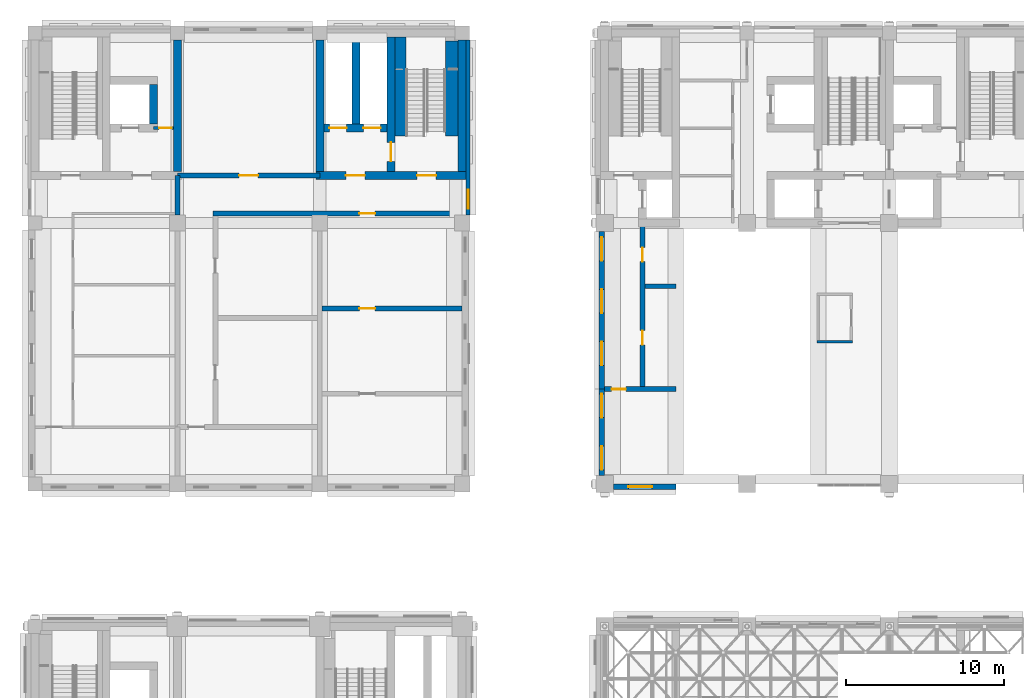
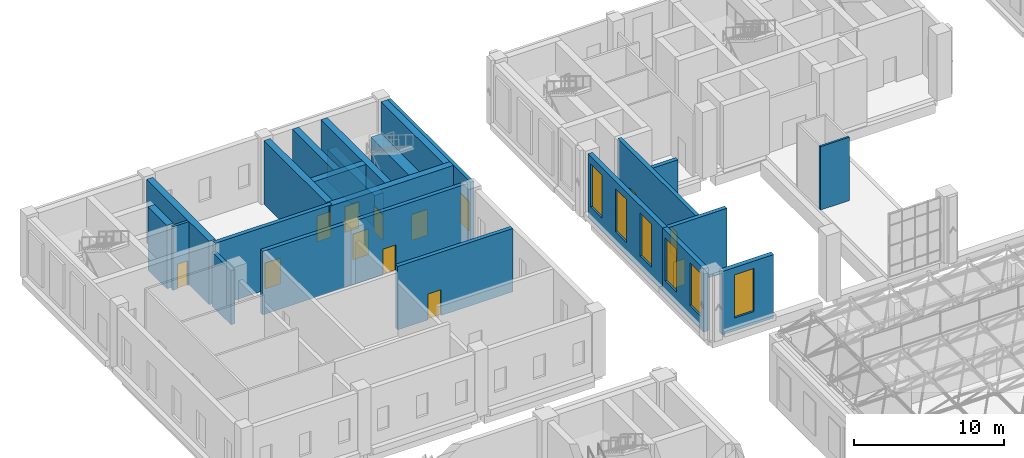
# One storey, part 30 of 53: 23 walls, 12 doors, 7 windows, 19 openings.
"""IFC4 building model written with IfcOpenShell, lengths in metres."""

from ifc_helpers import new_model, si_unit, direction, frame, frame_2d, origin, place, context, subcontext, project, spatial, rectangle, extrude, material, layer, layer_set, type_object, element, fill, save


model = new_model("IFC4")

# Units and contexts
model_context = context("Model", 3, precision=1e-05, world=origin(), true_north=direction((0.0, 1.0)))
body_context = subcontext(model_context, "Body", "Model", "MODEL_VIEW")
ifc_project = project(units=[si_unit("LENGTHUNIT", "METRE"), si_unit("AREAUNIT", "SQUARE_METRE"), si_unit("VOLUMEUNIT", "CUBIC_METRE"), si_unit("PLANEANGLEUNIT", "RADIAN"), si_unit("MASSUNIT", "GRAM", prefix="KILO")], contexts=[model_context])

# Site, building, storey
site_placement = place(None, origin())
site = spatial("IfcSite", under=ifc_project, at=site_placement, CompositionType="ELEMENT")
building_placement = place(site_placement, origin())
building = spatial("IfcBuilding", under=site, at=building_placement, Name="Aurelan Courthouse", CompositionType="ELEMENT")
storey_placement = place(building_placement, frame((0.0, 0.0, 12.0)))
storey = spatial("IfcBuildingStorey", under=building, at=storey_placement, Name="L02", CompositionType="ELEMENT", Elevation=12.0)

# Wall
ifc_material_1 = material(Name="Gypsum board on metal studs")
ifc_layer_1 = layer(ifc_material_1, 0.14990234375)
ifc_layer_set_1 = layer_set([ifc_layer_1], Name="Gypsum board on metal studs")
wall_type_1 = type_object("IfcWallType", Name="Corridor partition 150 EI 60", PredefinedType="PARTITIONING", material=ifc_layer_set_1)
wall_1_placement = place(storey_placement, frame((49.4375, 46.5, 0.0), z_axis=(0.0, 0.0, 1.0), x_axis=(1.0, 0.0, 0.0)))
element("IfcWall", 1, at=wall_1_placement, inside=storey, type_object=wall_type_1, Name="Corridor partition L02-024", PredefinedType="PARTITIONING", context=body_context, shape_type="SweptSolid", body=[
    extrude(rectangle(XDim=2.237548828125, YDim=0.14990234375, at=frame_2d((1.11865234375, 0.0))), origin(), (0.0, 0.0, 1.0), 5.14990234375),
])

# Wall, opening, window
ifc_material_2 = material(Name="Limestone cladding", Category="masonry")
ifc_layer_2 = layer(ifc_material_2, 0.10009765625, Name="Facing")
ifc_material_3 = material(Name="Ventilated cavity")
ifc_layer_3 = layer(ifc_material_3, 0.02490234375, ventilated=True, Name="Ventilated cavity")
ifc_material_4 = material(Name="Mineral wool insulation")
ifc_layer_4 = layer(ifc_material_4, 0.050048828125, Name="Insulation")
ifc_material_5 = material(Name="Concrete C30", Category="concrete")
ifc_layer_5 = layer(ifc_material_5, 0.175048828125, Name="Structure")
ifc_layer_set_2 = layer_set([ifc_layer_2, ifc_layer_3, ifc_layer_4, ifc_layer_5], Name="Concrete C30")
wall_type_2 = type_object("IfcWallType", Name="Courtroom Block stone-faced wall 350", PredefinedType="SOLIDWALL", material=ifc_layer_set_2)
wall_2_placement = place(storey_placement, frame((36.550048828125, 37.324951171875, 0.0), z_axis=(0.0, 0.0, 1.0), x_axis=(1.0, 0.0, 0.0)))
wall_2 = element("IfcWall", 2, at=wall_2_placement, inside=storey, type_object=wall_type_2, Name="Facade wall FW-V2-L02-001", PredefinedType="SOLIDWALL", context=body_context, shape_type="SweptSolid", body=[
    extrude(rectangle(XDim=3.949951171875, YDim=0.35009765625, at=frame_2d((1.97509765625, 0.0))), origin(), (0.0, 0.0, 1.0), 5.14990234375),
])
opening_1_placement = place(wall_2_placement, frame((0.949951171875, 0.0, 1.050048828125)))
opening_1 = element("IfcOpeningElement", 3, at=opening_1_placement, cuts=wall_2, Name="Opening WN-V2-L02-001", PredefinedType="OPENING", context=body_context, shape_type="SweptSolid", body=[
    extrude(rectangle(XDim=1.5, YDim=3.5, at=frame_2d((0.75, 1.75))), frame((0.0, 0.18505859375, 0.0), z_axis=(0.0, -1.0, 0.0), x_axis=(1.0, 0.0, 0.0)), (0.0, 0.0, 1.0), 0.3701171875),
])
ifc_material_6 = material(Name="Bronze-finished aluminium and glass", Category="aluminium")
window_type_1 = type_object("IfcWindowType", Name="Courtroom Block glazed slot 1500 x 3500, sill 1050", PartitioningType="SINGLE_PANEL", PredefinedType="WINDOW", material=ifc_material_6)
window_1_placement = place(opening_1_placement, origin())
window_1 = element("IfcWindow", 4, at=window_1_placement, inside=storey, type_object=window_type_1, Name="Glazed slot WN-V2-L02-001", OverallHeight=3.5, OverallWidth=1.5, PartitioningType="SINGLE_PANEL", PredefinedType="WINDOW", context=body_context, shape_type="SweptSolid", body=[
    extrude(rectangle(XDim=1.5, YDim=3.5, at=frame_2d((0.75, 1.75))), frame((0.0, 0.030029296875, 0.0), z_axis=(0.0, -1.0, 0.0), x_axis=(1.0, 0.0, 0.0)), (0.0, 0.0, 1.0), 0.06005859375),
])
fill(opening_1, window_1)

# Wall, openings, windows
wall_3_placement = place(storey_placement, frame((35.824951171875, 38.050048828125, 0.0), z_axis=(0.0, 0.0, 1.0), x_axis=(0.0, 1.0, 0.0)))
wall_3 = element("IfcWall", 5, at=wall_3_placement, inside=storey, type_object=wall_type_2, Name="Facade wall FW-V2-L02-007", PredefinedType="SOLIDWALL", context=body_context, shape_type="SweptSolid", body=[
    extrude(rectangle(XDim=5.449951171875, YDim=0.35009765625, at=frame_2d((2.72509765625, 0.0))), origin(), (0.0, 0.0, 1.0), 5.14990234375),
])
opening_2_placement = place(wall_3_placement, frame((0.35009765625, 0.0, 1.050048828125)))
opening_2 = element("IfcOpeningElement", 6, at=opening_2_placement, cuts=wall_3, Name="Opening WN-V2-L02-005", PredefinedType="OPENING", context=body_context, shape_type="SweptSolid", body=[
    extrude(rectangle(XDim=1.5, YDim=3.5, at=frame_2d((0.75, 1.75))), frame((0.0, 0.18505859375, 0.0), z_axis=(0.0, -1.0, 0.0), x_axis=(1.0, 0.0, 0.0)), (0.0, 0.0, 1.0), 0.3701171875),
])
opening_3_placement = place(wall_3_placement, frame((3.64990234375, 0.0, 1.050048828125)))
opening_3 = element("IfcOpeningElement", 7, at=opening_3_placement, cuts=wall_3, Name="Opening WN-V2-L02-006", PredefinedType="OPENING", context=body_context, shape_type="SweptSolid", body=[
    extrude(rectangle(XDim=1.5, YDim=3.5, at=frame_2d((0.75, 1.75))), frame((0.0, 0.18505859375, 0.0), z_axis=(0.0, -1.0, 0.0), x_axis=(1.0, 0.0, 0.0)), (0.0, 0.0, 1.0), 0.3701171875),
])
window_2_placement = place(opening_2_placement, origin())
window_2 = element("IfcWindow", 8, at=window_2_placement, inside=storey, type_object=window_type_1, Name="Glazed slot WN-V2-L02-005", OverallHeight=3.5, OverallWidth=1.5, PartitioningType="SINGLE_PANEL", PredefinedType="WINDOW", context=body_context, shape_type="SweptSolid", body=[
    extrude(rectangle(XDim=1.5, YDim=3.5, at=frame_2d((0.75, 1.75))), frame((0.0, 0.030029296875, 0.0), z_axis=(0.0, -1.0, 0.0), x_axis=(1.0, 0.0, 0.0)), (0.0, 0.0, 1.0), 0.06005859375),
])
fill(opening_2, window_2)
window_3_placement = place(opening_3_placement, origin())
window_3 = element("IfcWindow", 9, at=window_3_placement, inside=storey, type_object=window_type_1, Name="Glazed slot WN-V2-L02-006", OverallHeight=3.5, OverallWidth=1.5, PartitioningType="SINGLE_PANEL", PredefinedType="WINDOW", context=body_context, shape_type="SweptSolid", body=[
    extrude(rectangle(XDim=1.5, YDim=3.5, at=frame_2d((0.75, 1.75))), frame((0.0, 0.030029296875, 0.0), z_axis=(0.0, -1.0, 0.0), x_axis=(1.0, 0.0, 0.0)), (0.0, 0.0, 1.0), 0.06005859375),
])
fill(opening_3, window_3)

wall_4_placement = place(storey_placement, frame((35.824951171875, 43.5, 0.0), z_axis=(0.0, 0.0, 1.0), x_axis=(0.0, 1.0, 0.0)))
wall_4 = element("IfcWall", 10, at=wall_4_placement, inside=storey, type_object=wall_type_2, Name="Facade wall FW-V2-L02-008", PredefinedType="SOLIDWALL", context=body_context, shape_type="SweptSolid", body=[
    extrude(rectangle(XDim=9.949951171875, YDim=0.35009765625, at=frame_2d((4.97509765625, 0.0))), origin(), (0.0, 0.0, 1.0), 5.14990234375),
])
opening_4_placement = place(wall_4_placement, frame((1.5, 0.0, 1.050048828125)))
opening_4 = element("IfcOpeningElement", 11, at=opening_4_placement, cuts=wall_4, Name="Opening WN-V2-L02-007", PredefinedType="OPENING", context=body_context, shape_type="SweptSolid", body=[
    extrude(rectangle(XDim=1.5, YDim=3.5, at=frame_2d((0.75, 1.75))), frame((0.0, 0.18505859375, 0.0), z_axis=(0.0, -1.0, 0.0), x_axis=(1.0, 0.0, 0.0)), (0.0, 0.0, 1.0), 0.3701171875),
])
opening_5_placement = place(wall_4_placement, frame((4.800048828125, 0.0, 1.050048828125)))
opening_5 = element("IfcOpeningElement", 12, at=opening_5_placement, cuts=wall_4, Name="Opening WN-V2-L02-008", PredefinedType="OPENING", context=body_context, shape_type="SweptSolid", body=[
    extrude(rectangle(XDim=1.5, YDim=3.5, at=frame_2d((0.75, 1.75))), frame((0.0, 0.18505859375, 0.0), z_axis=(0.0, -1.0, 0.0), x_axis=(1.0, 0.0, 0.0)), (0.0, 0.0, 1.0), 0.3701171875),
])
opening_6_placement = place(wall_4_placement, frame((8.10009765625, 0.0, 1.050048828125)))
opening_6 = element("IfcOpeningElement", 13, at=opening_6_placement, cuts=wall_4, Name="Opening WN-V2-L02-009", PredefinedType="OPENING", context=body_context, shape_type="SweptSolid", body=[
    extrude(rectangle(XDim=1.5, YDim=3.5, at=frame_2d((0.75, 1.75))), frame((0.0, 0.18505859375, 0.0), z_axis=(0.0, -1.0, 0.0), x_axis=(1.0, 0.0, 0.0)), (0.0, 0.0, 1.0), 0.3701171875),
])
window_4_placement = place(opening_4_placement, origin())
window_4 = element("IfcWindow", 14, at=window_4_placement, inside=storey, type_object=window_type_1, Name="Glazed slot WN-V2-L02-007", OverallHeight=3.5, OverallWidth=1.5, PartitioningType="SINGLE_PANEL", PredefinedType="WINDOW", context=body_context, shape_type="SweptSolid", body=[
    extrude(rectangle(XDim=1.5, YDim=3.5, at=frame_2d((0.75, 1.75))), frame((0.0, 0.030029296875, 0.0), z_axis=(0.0, -1.0, 0.0), x_axis=(1.0, 0.0, 0.0)), (0.0, 0.0, 1.0), 0.06005859375),
])
fill(opening_4, window_4)
window_5_placement = place(opening_5_placement, origin())
window_5 = element("IfcWindow", 15, at=window_5_placement, inside=storey, type_object=window_type_1, Name="Glazed slot WN-V2-L02-008", OverallHeight=3.5, OverallWidth=1.5, PartitioningType="SINGLE_PANEL", PredefinedType="WINDOW", context=body_context, shape_type="SweptSolid", body=[
    extrude(rectangle(XDim=1.5, YDim=3.5, at=frame_2d((0.75, 1.75))), frame((0.0, 0.030029296875, 0.0), z_axis=(0.0, -1.0, 0.0), x_axis=(1.0, 0.0, 0.0)), (0.0, 0.0, 1.0), 0.06005859375),
])
fill(opening_5, window_5)
window_6_placement = place(opening_6_placement, origin())
window_6 = element("IfcWindow", 16, at=window_6_placement, inside=storey, type_object=window_type_1, Name="Glazed slot WN-V2-L02-009", OverallHeight=3.5, OverallWidth=1.5, PartitioningType="SINGLE_PANEL", PredefinedType="WINDOW", context=body_context, shape_type="SweptSolid", body=[
    extrude(rectangle(XDim=1.5, YDim=3.5, at=frame_2d((0.75, 1.75))), frame((0.0, 0.030029296875, 0.0), z_axis=(0.0, -1.0, 0.0), x_axis=(1.0, 0.0, 0.0)), (0.0, 0.0, 1.0), 0.06005859375),
])
fill(opening_6, window_6)

# Wall, opening, window
ifc_layer_6 = layer(ifc_material_2, 0.070068359375, Name="Facing")
ifc_layer_7 = layer(ifc_material_3, 0.02490234375, ventilated=True, Name="Ventilated cavity")
ifc_layer_8 = layer(ifc_material_4, 0.034912109375, Name="Insulation")
ifc_layer_9 = layer(ifc_material_5, 0.1201171875, Name="Structure")
ifc_layer_set_3 = layer_set([ifc_layer_6, ifc_layer_7, ifc_layer_8, ifc_layer_9], Name="Concrete C30")
wall_type_3 = type_object("IfcWallType", Name="Custody Suite stone-faced wall 250", PredefinedType="SOLIDWALL", material=ifc_layer_set_3)
wall_5_placement = place(storey_placement, frame((27.375, 54.5, 0.0), z_axis=(0.0, 0.0, 1.0), x_axis=(0.0, 1.0, 0.0)))
wall_5 = element("IfcWall", 17, at=wall_5_placement, inside=storey, type_object=wall_type_3, Name="Facade wall FW-V6-L02-008", PredefinedType="SOLIDWALL", context=body_context, shape_type="SweptSolid", body=[
    extrude(rectangle(XDim=11.050048828125, YDim=0.25, at=frame_2d((5.52490234375, 0.0))), origin(), (0.0, 0.0, 1.0), 5.14990234375),
])
opening_7_placement = place(wall_5_placement, frame((0.39990234375, 0.0, 0.89990234375)))
opening_7 = element("IfcOpeningElement", 18, at=opening_7_placement, cuts=wall_5, Name="Opening WN-V6-L02-019", PredefinedType="OPENING", context=body_context, shape_type="SweptSolid", body=[
    extrude(rectangle(XDim=1.199951171875, YDim=2.39990234375, at=frame_2d((0.60009765625, 1.199951171875))), frame((0.0, 0.135009765625, 0.0), z_axis=(0.0, -1.0, 0.0), x_axis=(1.0, 0.0, 0.0)), (0.0, 0.0, 1.0), 0.27001953125),
])
window_type_2 = type_object("IfcWindowType", Name="Custody Suite glazed slot 1200 x 2400, sill 900", PartitioningType="SINGLE_PANEL", PredefinedType="WINDOW", material=ifc_material_6)
window_7_placement = place(opening_7_placement, origin())
window_7 = element("IfcWindow", 19, at=window_7_placement, inside=storey, type_object=window_type_2, Name="Glazed slot WN-V6-L02-019", OverallHeight=2.39990234375, OverallWidth=1.199951171875, PartitioningType="SINGLE_PANEL", PredefinedType="WINDOW", context=body_context, shape_type="SweptSolid", body=[
    extrude(rectangle(XDim=1.199951171875, YDim=2.39990234375, at=frame_2d((0.60009765625, 1.199951171875))), frame((0.0, 0.030029296875, 0.0), z_axis=(0.0, -1.0, 0.0), x_axis=(1.0, 0.0, 0.0)), (0.0, 0.0, 1.0), 0.06005859375),
])
fill(opening_7, window_7)

# Wall, opening, door
ifc_layer_10 = layer(ifc_material_5, 0.300048828125)
ifc_layer_set_4 = layer_set([ifc_layer_10], Name="Concrete C30")
wall_type_4 = type_object("IfcWallType", Name="Custody wall 300 EI 120", PredefinedType="PARTITIONING", material=ifc_layer_set_4)
wall_6_placement = place(storey_placement, frame((36.0, 43.5, 0.0), z_axis=(0.0, 0.0, 1.0), x_axis=(1.0, 0.0, 0.0)))
wall_6 = element("IfcWall", 20, at=wall_6_placement, inside=storey, type_object=wall_type_4, Name="Custody wall L02-021", PredefinedType="PARTITIONING", context=body_context, shape_type="SweptSolid", body=[
    extrude(rectangle(XDim=4.5, YDim=0.300048828125, at=frame_2d((2.25, 0.0))), origin(), (0.0, 0.0, 1.0), 5.14990234375),
])
opening_8_placement = place(wall_6_placement, frame((1.349853515625, 0.0, 0.0), z_axis=(0.0, 0.0, 1.0), x_axis=(-1.0, 0.0, 0.0)))
opening_8 = element("IfcOpeningElement", 21, at=opening_8_placement, cuts=wall_6, Name="Opening D-L02-023", PredefinedType="OPENING", context=body_context, shape_type="SweptSolid", body=[
    extrude(rectangle(XDim=0.89990234375, YDim=2.10009765625, at=frame_2d((0.449951171875, 1.050048828125))), frame((0.0, 0.159912109375, 0.0), z_axis=(0.0, -1.0, 0.0), x_axis=(1.0, 0.0, 0.0)), (0.0, 0.0, 1.0), 0.320068359375),
])
ifc_material_7 = material(Name="Steel", Category="steel")
door_type_1 = type_object("IfcDoorType", Name="Single door 900 x 2100 FD90", OperationType="SINGLE_SWING_LEFT", PredefinedType="DOOR", material=ifc_material_7)
door_1_placement = place(opening_8_placement, origin())
door_1 = element("IfcDoor", 22, at=door_1_placement, inside=storey, type_object=door_type_1, Name="Single door D-L02-023", OperationType="SINGLE_SWING_RIGHT", OverallHeight=2.10009765625, OverallWidth=0.89990234375, PredefinedType="DOOR", context=body_context, shape_type="SweptSolid", body=[
    extrude(rectangle(XDim=0.89990234375, YDim=2.10009765625, at=frame_2d((0.449951171875, 1.050048828125))), frame((0.0, 0.02490234375, 0.0), z_axis=(0.0, -1.0, 0.0), x_axis=(1.0, 0.0, 0.0)), (0.0, 0.0, 1.0), 0.050048828125),
])
fill(opening_8, door_1)

wall_7_placement = place(storey_placement, frame((18.14990234375, 48.60009765625, 0.0), z_axis=(0.0, 0.0, 1.0), x_axis=(1.0, 0.0, 0.0)))
wall_7 = element("IfcWall", 23, at=wall_7_placement, inside=storey, type_object=wall_type_4, Name="Custody wall L02-026", PredefinedType="PARTITIONING", context=body_context, shape_type="SweptSolid", body=[
    extrude(rectangle(XDim=8.85009765625, YDim=0.300048828125, at=frame_2d((4.425048828125, 0.0))), origin(), (0.0, 0.0, 1.0), 5.14990234375),
])
opening_9_placement = place(wall_7_placement, frame((3.35009765625, 0.0, 0.0), z_axis=(0.0, 0.0, 1.0), x_axis=(-1.0, 0.0, 0.0)))
opening_9 = element("IfcOpeningElement", 24, at=opening_9_placement, cuts=wall_7, Name="Opening D-L02-091", PredefinedType="OPENING", context=body_context, shape_type="SweptSolid", body=[
    extrude(rectangle(XDim=1.0, YDim=2.10009765625, at=frame_2d((0.5, 1.050048828125))), frame((0.0, 0.159912109375, 0.0), z_axis=(0.0, -1.0, 0.0), x_axis=(1.0, 0.0, 0.0)), (0.0, 0.0, 1.0), 0.320068359375),
])
door_type_2 = type_object("IfcDoorType", Name="Single door 1000 x 2100 FD120", OperationType="SINGLE_SWING_LEFT", PredefinedType="DOOR", material=ifc_material_7)
door_2_placement = place(opening_9_placement, origin())
door_2 = element("IfcDoor", 25, at=door_2_placement, inside=storey, type_object=door_type_2, Name="Single door D-L02-091", OperationType="SINGLE_SWING_RIGHT", OverallHeight=2.10009765625, OverallWidth=1.0, PredefinedType="DOOR", context=body_context, shape_type="SweptSolid", body=[
    extrude(rectangle(XDim=1.0, YDim=2.10009765625, at=frame_2d((0.5, 1.050048828125))), frame((0.0, 0.02490234375, 0.0), z_axis=(0.0, -1.0, 0.0), x_axis=(1.0, 0.0, 0.0)), (0.0, 0.0, 1.0), 0.050048828125),
])
fill(opening_9, door_2)

# Wall
wall_8_placement = place(storey_placement, frame((38.550048828125, 50.0, 0.0), z_axis=(0.0, 0.0, 1.0), x_axis=(1.0, 0.0, 0.0)))
element("IfcWall", 26, at=wall_8_placement, inside=storey, type_object=wall_type_4, Name="Custody wall L02-029", PredefinedType="PARTITIONING", context=body_context, shape_type="SweptSolid", body=[
    extrude(rectangle(XDim=1.949951171875, YDim=0.300048828125, at=frame_2d((0.97509765625, 0.0))), origin(), (0.0, 0.0, 1.0), 5.14990234375),
])

# Wall, opening, door
wall_9_placement = place(storey_placement, frame((11.25, 54.60009765625, 0.0), z_axis=(0.0, 0.0, 1.0), x_axis=(1.0, 0.0, 0.0)))
wall_9 = element("IfcWall", 27, at=wall_9_placement, inside=storey, type_object=wall_type_4, Name="Custody wall L02-039", PredefinedType="PARTITIONING", context=body_context, shape_type="SweptSolid", body=[
    extrude(rectangle(XDim=15.75, YDim=0.300048828125, at=frame_2d((7.875, 0.0))), origin(), (0.0, 0.0, 1.0), 5.14990234375),
])
opening_10_placement = place(wall_9_placement, frame((10.25, 0.0, 0.0), z_axis=(0.0, 0.0, 1.0), x_axis=(-1.0, 0.0, 0.0)))
opening_10 = element("IfcOpeningElement", 28, at=opening_10_placement, cuts=wall_9, Name="Opening D-L02-090", PredefinedType="OPENING", context=body_context, shape_type="SweptSolid", body=[
    extrude(rectangle(XDim=1.0, YDim=2.10009765625, at=frame_2d((0.5, 1.050048828125))), frame((0.0, 0.159912109375, 0.0), z_axis=(0.0, -1.0, 0.0), x_axis=(1.0, 0.0, 0.0)), (0.0, 0.0, 1.0), 0.320068359375),
])
door_3_placement = place(opening_10_placement, origin())
door_3 = element("IfcDoor", 29, at=door_3_placement, inside=storey, type_object=door_type_2, Name="Single door D-L02-090", OperationType="SINGLE_SWING_RIGHT", OverallHeight=2.10009765625, OverallWidth=1.0, PredefinedType="DOOR", context=body_context, shape_type="SweptSolid", body=[
    extrude(rectangle(XDim=1.0, YDim=2.10009765625, at=frame_2d((0.5, 1.050048828125))), frame((0.0, 0.02490234375, 0.0), z_axis=(0.0, -1.0, 0.0), x_axis=(1.0, 0.0, 0.0)), (0.0, 0.0, 1.0), 0.050048828125),
])
fill(opening_10, door_3)

wall_10_placement = place(storey_placement, frame((9.0, 57.0, 0.0), z_axis=(0.0, 0.0, 1.0), x_axis=(1.0, 0.0, 0.0)))
wall_10 = element("IfcWall", 30, at=wall_10_placement, inside=storey, type_object=wall_type_4, Name="Custody wall L02-040", PredefinedType="PARTITIONING", context=body_context, shape_type="SweptSolid", body=[
    extrude(rectangle(XDim=9.0, YDim=0.300048828125, at=frame_2d((4.5, 0.0))), origin(), (0.0, 0.0, 1.0), 5.14990234375),
])
opening_11_placement = place(wall_10_placement, frame((3.89990234375, 0.0, 0.0)))
opening_11 = element("IfcOpeningElement", 31, at=opening_11_placement, cuts=wall_10, Name="Opening D-L02-082", PredefinedType="OPENING", context=body_context, shape_type="SweptSolid", body=[
    extrude(rectangle(XDim=1.199951171875, YDim=2.10009765625, at=frame_2d((0.60009765625, 1.050048828125))), frame((0.0, 0.159912109375, 0.0), z_axis=(0.0, -1.0, 0.0), x_axis=(1.0, 0.0, 0.0)), (0.0, 0.0, 1.0), 0.320068359375),
])
door_type_3 = type_object("IfcDoorType", Name="Single door 1200 x 2100 FD120", OperationType="SINGLE_SWING_LEFT", PredefinedType="DOOR", material=ifc_material_7)
door_4_placement = place(opening_11_placement, origin())
door_4 = element("IfcDoor", 32, at=door_4_placement, inside=storey, type_object=door_type_3, Name="Single door D-L02-082", OperationType="SINGLE_SWING_LEFT", OverallHeight=2.10009765625, OverallWidth=1.199951171875, PredefinedType="DOOR", context=body_context, shape_type="SweptSolid", body=[
    extrude(rectangle(XDim=1.199951171875, YDim=2.10009765625, at=frame_2d((0.60009765625, 1.050048828125))), frame((0.0, 0.02490234375, 0.0), z_axis=(0.0, -1.0, 0.0), x_axis=(1.0, 0.0, 0.0)), (0.0, 0.0, 1.0), 0.050048828125),
])
fill(opening_11, door_4)

# Wall
wall_11_placement = place(storey_placement, frame((9.0, 54.5, 0.0), z_axis=(0.0, 0.0, 1.0), x_axis=(0.0, 1.0, 0.0)))
element("IfcWall", 33, at=wall_11_placement, inside=storey, type_object=wall_type_4, Name="Custody wall L02-058", PredefinedType="PARTITIONING", context=body_context, shape_type="SweptSolid", body=[
    extrude(rectangle(XDim=2.5, YDim=0.300048828125, at=frame_2d((1.25, 0.0))), origin(), (0.0, 0.0, 1.0), 4.39990234375),
])

# Wall, openings, doors
wall_12_placement = place(storey_placement, frame((38.39990234375, 43.64990234375, 0.0), z_axis=(0.0, 0.0, 1.0), x_axis=(0.0, 1.0, 0.0)))
wall_12 = element("IfcWall", 34, at=wall_12_placement, inside=storey, type_object=wall_type_4, Name="Custody wall L02-066", PredefinedType="PARTITIONING", context=body_context, shape_type="SweptSolid", body=[
    extrude(rectangle(XDim=10.35009765625, YDim=0.300048828125, at=frame_2d((5.175048828125, 0.0))), origin(), (0.0, 0.0, 1.0), 5.14990234375),
])
opening_12_placement = place(wall_12_placement, frame((3.5498046875, 0.0, 0.0), z_axis=(0.0, 0.0, 1.0), x_axis=(-1.0, 0.0, 0.0)))
opening_12 = element("IfcOpeningElement", 35, at=opening_12_placement, cuts=wall_12, Name="Opening D-L02-024", PredefinedType="OPENING", context=body_context, shape_type="SweptSolid", body=[
    extrude(rectangle(XDim=0.89990234375, YDim=2.10009765625, at=frame_2d((0.449951171875, 1.050048828125))), frame((0.0, 0.159912109375, 0.0), z_axis=(0.0, -1.0, 0.0), x_axis=(1.0, 0.0, 0.0)), (0.0, 0.0, 1.0), 0.320068359375),
])
opening_13_placement = place(wall_12_placement, frame((8.7998046875, 0.0, 0.0), z_axis=(0.0, 0.0, 1.0), x_axis=(-1.0, 0.0, 0.0)))
opening_13 = element("IfcOpeningElement", 36, at=opening_13_placement, cuts=wall_12, Name="Opening D-L02-025", PredefinedType="OPENING", context=body_context, shape_type="SweptSolid", body=[
    extrude(rectangle(XDim=0.89990234375, YDim=2.10009765625, at=frame_2d((0.449951171875, 1.050048828125))), frame((0.0, 0.159912109375, 0.0), z_axis=(0.0, -1.0, 0.0), x_axis=(1.0, 0.0, 0.0)), (0.0, 0.0, 1.0), 0.320068359375),
])
door_5_placement = place(opening_12_placement, origin())
door_5 = element("IfcDoor", 37, at=door_5_placement, inside=storey, type_object=door_type_1, Name="Single door D-L02-024", OperationType="SINGLE_SWING_RIGHT", OverallHeight=2.10009765625, OverallWidth=0.89990234375, PredefinedType="DOOR", context=body_context, shape_type="SweptSolid", body=[
    extrude(rectangle(XDim=0.89990234375, YDim=2.10009765625, at=frame_2d((0.449951171875, 1.050048828125))), frame((0.0, 0.02490234375, 0.0), z_axis=(0.0, -1.0, 0.0), x_axis=(1.0, 0.0, 0.0)), (0.0, 0.0, 1.0), 0.050048828125),
])
fill(opening_12, door_5)
door_6_placement = place(opening_13_placement, origin())
door_6 = element("IfcDoor", 38, at=door_6_placement, inside=storey, type_object=door_type_1, Name="Single door D-L02-025", OperationType="SINGLE_SWING_LEFT", OverallHeight=2.10009765625, OverallWidth=0.89990234375, PredefinedType="DOOR", context=body_context, shape_type="SweptSolid", body=[
    extrude(rectangle(XDim=0.89990234375, YDim=2.10009765625, at=frame_2d((0.449951171875, 1.050048828125))), frame((0.0, 0.02490234375, 0.0), z_axis=(0.0, -1.0, 0.0), x_axis=(1.0, 0.0, 0.0)), (0.0, 0.0, 1.0), 0.050048828125),
])
fill(opening_13, door_6)

ifc_material_8 = material(Name="Concrete C50", Category="concrete")
ifc_layer_11 = layer(ifc_material_8, 0.5)
ifc_layer_set_5 = layer_set([ifc_layer_11], Name="Concrete C50")
wall_type_5 = type_object("IfcWallType", Name="RC shear wall 500", PredefinedType="SHEAR", material=ifc_layer_set_5)
wall_13_placement = place(storey_placement, frame((17.75, 57.0, 0.0), z_axis=(0.0, 0.0, 1.0), x_axis=(1.0, 0.0, 0.0)))
wall_13 = element("IfcWall", 39, at=wall_13_placement, inside=storey, type_object=wall_type_5, Name="Core wall SW-L02-038", PredefinedType="SHEAR", context=body_context, shape_type="SweptSolid", body=[
    extrude(rectangle(XDim=9.5, YDim=0.5, at=frame_2d((4.75, 0.0))), origin(), (0.0, 0.0, 1.0), 5.14990234375),
])
opening_14_placement = place(wall_13_placement, frame((3.099853515625, 0.0, 0.0), z_axis=(0.0, 0.0, 1.0), x_axis=(-1.0, 0.0, 0.0)))
opening_14 = element("IfcOpeningElement", 40, at=opening_14_placement, cuts=wall_13, Name="Opening D-L02-077", PredefinedType="OPENING", context=body_context, shape_type="SweptSolid", body=[
    extrude(rectangle(XDim=1.199951171875, YDim=2.10009765625, at=frame_2d((0.60009765625, 1.050048828125))), frame((0.0, 0.260009765625, 0.0), z_axis=(0.0, -1.0, 0.0), x_axis=(1.0, 0.0, 0.0)), (0.0, 0.0, 1.0), 0.52001953125),
])
opening_15_placement = place(wall_13_placement, frame((6.39990234375, 0.0, 0.0)))
opening_15 = element("IfcOpeningElement", 41, at=opening_15_placement, cuts=wall_13, Name="Opening D-L02-081", PredefinedType="OPENING", context=body_context, shape_type="SweptSolid", body=[
    extrude(rectangle(XDim=1.199951171875, YDim=2.10009765625, at=frame_2d((0.60009765625, 1.050048828125))), frame((0.0, 0.260009765625, 0.0), z_axis=(0.0, -1.0, 0.0), x_axis=(1.0, 0.0, 0.0)), (0.0, 0.0, 1.0), 0.52001953125),
])
door_7_placement = place(opening_14_placement, origin())
door_7 = element("IfcDoor", 42, at=door_7_placement, inside=storey, type_object=door_type_3, Name="Single door D-L02-077", OperationType="SINGLE_SWING_LEFT", OverallHeight=2.10009765625, OverallWidth=1.199951171875, PredefinedType="DOOR", context=body_context, shape_type="SweptSolid", body=[
    extrude(rectangle(XDim=1.199951171875, YDim=2.10009765625, at=frame_2d((0.60009765625, 1.050048828125))), frame((0.0, 0.02490234375, 0.0), z_axis=(0.0, -1.0, 0.0), x_axis=(1.0, 0.0, 0.0)), (0.0, 0.0, 1.0), 0.050048828125),
])
fill(opening_14, door_7)
door_8_placement = place(opening_15_placement, origin())
door_8 = element("IfcDoor", 43, at=door_8_placement, inside=storey, type_object=door_type_3, Name="Single door D-L02-081", OperationType="SINGLE_SWING_RIGHT", OverallHeight=2.10009765625, OverallWidth=1.199951171875, PredefinedType="DOOR", context=body_context, shape_type="SweptSolid", body=[
    extrude(rectangle(XDim=1.199951171875, YDim=2.10009765625, at=frame_2d((0.60009765625, 1.050048828125))), frame((0.0, 0.02490234375, 0.0), z_axis=(0.0, -1.0, 0.0), x_axis=(1.0, 0.0, 0.0)), (0.0, 0.0, 1.0), 0.050048828125),
])
fill(opening_15, door_8)

# Walls
for number, where, z_axis, x_axis, name in (
    (44, (9.0, 57.25, 0.0), (0.0, 0.0, 1.0), (0.0, 1.0, 0.0), "Core wall SW-L02-046"),
    (45, (18.0, 57.25, 0.0), (0.0, 0.0, 1.0), (0.0, 1.0, 0.0), "Core wall SW-L02-047"),
):
    element("IfcWall", number, at=place(storey_placement, frame(where, z_axis=z_axis, x_axis=x_axis)), inside=storey, type_object=wall_type_5, Name=name, PredefinedType="SHEAR", context=body_context, shape_type="SweptSolid", body=[
        extrude(rectangle(XDim=8.300048828125, YDim=0.5, at=frame_2d((4.14990234375, 0.0))), origin(), (0.0, 0.0, 1.0), 5.14990234375),
    ])

# Wall, opening, door
wall_14_placement = place(storey_placement, frame((22.5, 57.25, 0.0), z_axis=(0.0, 0.0, 1.0), x_axis=(0.0, 1.0, 0.0)))
wall_14 = element("IfcWall", 46, at=wall_14_placement, inside=storey, type_object=wall_type_5, Name="Core wall SW-L02-048", PredefinedType="SHEAR", context=body_context, shape_type="SweptSolid", body=[
    extrude(rectangle(XDim=8.5, YDim=0.5, at=frame_2d((4.25, 0.0))), origin(), (0.0, 0.0, 1.0), 5.14990234375),
])
opening_16_placement = place(wall_14_placement, frame((1.849853515625, 0.0, 0.0), z_axis=(0.0, 0.0, 1.0), x_axis=(-1.0, 0.0, 0.0)))
opening_16 = element("IfcOpeningElement", 47, at=opening_16_placement, cuts=wall_14, Name="Opening D-L02-080", PredefinedType="OPENING", context=body_context, shape_type="SweptSolid", body=[
    extrude(rectangle(XDim=1.199951171875, YDim=2.10009765625, at=frame_2d((0.60009765625, 1.050048828125))), frame((0.0, 0.260009765625, 0.0), z_axis=(0.0, -1.0, 0.0), x_axis=(1.0, 0.0, 0.0)), (0.0, 0.0, 1.0), 0.52001953125),
])
door_9_placement = place(opening_16_placement, origin())
door_9 = element("IfcDoor", 48, at=door_9_placement, inside=storey, type_object=door_type_3, Name="Single door D-L02-080", OperationType="SINGLE_SWING_RIGHT", OverallHeight=2.10009765625, OverallWidth=1.199951171875, PredefinedType="DOOR", context=body_context, shape_type="SweptSolid", body=[
    extrude(rectangle(XDim=1.199951171875, YDim=2.10009765625, at=frame_2d((0.60009765625, 1.050048828125))), frame((0.0, 0.02490234375, 0.0), z_axis=(0.0, -1.0, 0.0), x_axis=(1.0, 0.0, 0.0)), (0.0, 0.0, 1.0), 0.050048828125),
])
fill(opening_16, door_9)

# Wall
wall_15_placement = place(storey_placement, frame((27.0, 57.25, 0.0), z_axis=(0.0, 0.0, 1.0), x_axis=(0.0, 1.0, 0.0)))
element("IfcWall", 49, at=wall_15_placement, inside=storey, type_object=wall_type_5, Name="Core wall SW-L02-049", PredefinedType="SHEAR", context=body_context, shape_type="SweptSolid", body=[
    extrude(rectangle(XDim=8.300048828125, YDim=0.5, at=frame_2d((4.14990234375, 0.0))), origin(), (0.0, 0.0, 1.0), 5.14990234375),
])

# Wall, openings, doors
wall_16_placement = place(storey_placement, frame((18.25, 60.0, 0.0), z_axis=(0.0, 0.0, 1.0), x_axis=(1.0, 0.0, 0.0)))
wall_16 = element("IfcWall", 50, at=wall_16_placement, inside=storey, type_object=wall_type_5, Name="Core wall SW-L02-058", PredefinedType="SHEAR", context=body_context, shape_type="SweptSolid", body=[
    extrude(rectangle(XDim=4.0, YDim=0.5, at=frame_2d((2.0, 0.0))), origin(), (0.0, 0.0, 1.0), 5.14990234375),
])
opening_17_placement = place(wall_16_placement, frame((0.35009765625, 0.0, 0.0)))
opening_17 = element("IfcOpeningElement", 51, at=opening_17_placement, cuts=wall_16, Name="Opening LD-V6-C1-L02", PredefinedType="OPENING", context=body_context, shape_type="SweptSolid", body=[
    extrude(rectangle(XDim=1.10009765625, YDim=2.10009765625, at=frame_2d((0.550048828125, 1.050048828125))), frame((0.0, 0.260009765625, 0.0), z_axis=(0.0, -1.0, 0.0), x_axis=(1.0, 0.0, 0.0)), (0.0, 0.0, 1.0), 0.52001953125),
])
opening_18_placement = place(wall_16_placement, frame((2.5, 0.0, 0.0)))
opening_18 = element("IfcOpeningElement", 52, at=opening_18_placement, cuts=wall_16, Name="Opening LD-V6-C2-L02", PredefinedType="OPENING", context=body_context, shape_type="SweptSolid", body=[
    extrude(rectangle(XDim=1.10009765625, YDim=2.10009765625, at=frame_2d((0.550048828125, 1.050048828125))), frame((0.0, 0.260009765625, 0.0), z_axis=(0.0, -1.0, 0.0), x_axis=(1.0, 0.0, 0.0)), (0.0, 0.0, 1.0), 0.52001953125),
])
door_type_4 = type_object("IfcDoorType", Name="Lift landing door 1100 x 2100 FD90", OperationType="SLIDING_TO_LEFT", PredefinedType="DOOR", material=ifc_material_7)
door_10_placement = place(opening_17_placement, origin())
door_10 = element("IfcDoor", 53, at=door_10_placement, inside=storey, type_object=door_type_4, Name="Lift landing door LD-V6-C1-L02", OperationType="SLIDING_TO_LEFT", OverallHeight=2.10009765625, OverallWidth=1.10009765625, PredefinedType="DOOR", context=body_context, shape_type="SweptSolid", body=[
    extrude(rectangle(XDim=1.10009765625, YDim=2.10009765625, at=frame_2d((0.550048828125, 1.050048828125))), frame((0.0, 0.02490234375, 0.0), z_axis=(0.0, -1.0, 0.0), x_axis=(1.0, 0.0, 0.0)), (0.0, 0.0, 1.0), 0.050048828125),
])
fill(opening_17, door_10)
door_11_placement = place(opening_18_placement, origin())
door_11 = element("IfcDoor", 54, at=door_11_placement, inside=storey, type_object=door_type_4, Name="Lift landing door LD-V6-C2-L02", OperationType="SLIDING_TO_LEFT", OverallHeight=2.10009765625, OverallWidth=1.10009765625, PredefinedType="DOOR", context=body_context, shape_type="SweptSolid", body=[
    extrude(rectangle(XDim=1.10009765625, YDim=2.10009765625, at=frame_2d((0.550048828125, 1.050048828125))), frame((0.0, 0.02490234375, 0.0), z_axis=(0.0, -1.0, 0.0), x_axis=(1.0, 0.0, 0.0)), (0.0, 0.0, 1.0), 0.050048828125),
])
fill(opening_18, door_11)

# Walls
wall_17_placement = place(storey_placement, frame((7.5, 60.25, 0.0), z_axis=(0.0, 0.0, 1.0), x_axis=(0.0, 1.0, 0.0)))
element("IfcWall", 55, at=wall_17_placement, inside=storey, type_object=wall_type_5, Name="Core wall SW-L02-062", PredefinedType="SHEAR", context=body_context, shape_type="SweptSolid", body=[
    extrude(rectangle(XDim=2.5, YDim=0.5, at=frame_2d((1.25, 0.0))), origin(), (0.0, 0.0, 1.0), 5.14990234375),
])
wall_18_placement = place(storey_placement, frame((20.300048828125, 60.25, 0.0), z_axis=(0.0, 0.0, 1.0), x_axis=(0.0, 1.0, 0.0)))
element("IfcWall", 56, at=wall_18_placement, inside=storey, type_object=wall_type_5, Name="Core wall SW-L02-063", PredefinedType="SHEAR", context=body_context, shape_type="SweptSolid", body=[
    extrude(rectangle(XDim=5.5, YDim=0.5, at=frame_2d((2.75, 0.0))), origin(), (0.0, 0.0, 1.0), 5.14990234375),
])

# Wall, opening, door
ifc_layer_12 = layer(ifc_material_5, 0.199951171875)
ifc_layer_set_6 = layer_set([ifc_layer_12], Name="Concrete C30")
wall_type_6 = type_object("IfcWallType", Name="Shaft wall 200 EI 120 load-bearing", PredefinedType="SHEAR", material=ifc_layer_set_6)
wall_19_placement = place(storey_placement, frame((7.5, 60.0, 0.0), z_axis=(0.0, 0.0, 1.0), x_axis=(1.0, 0.0, 0.0)))
wall_19 = element("IfcWall", 57, at=wall_19_placement, inside=storey, type_object=wall_type_6, Name="Shaft wall L02-045", PredefinedType="SHEAR", context=body_context, shape_type="SweptSolid", body=[
    extrude(rectangle(XDim=1.25, YDim=0.199951171875, at=frame_2d((0.625, 0.0))), origin(), (0.0, 0.0, 1.0), 5.14990234375),
])
opening_19_placement = place(wall_19_placement, frame((1.150146484375, 0.0, 0.0), z_axis=(0.0, 0.0, 1.0), x_axis=(-1.0, 0.0, 0.0)))
opening_19 = element("IfcOpeningElement", 58, at=opening_19_placement, cuts=wall_19, Name="Opening D-L02-076", PredefinedType="OPENING", context=body_context, shape_type="SweptSolid", body=[
    extrude(rectangle(XDim=0.800048828125, YDim=2.0, at=frame_2d((0.39990234375, 1.0))), frame((0.0, 0.10986328125, 0.0), z_axis=(0.0, -1.0, 0.0), x_axis=(1.0, 0.0, 0.0)), (0.0, 0.0, 1.0), 0.219970703125),
])
door_type_5 = type_object("IfcDoorType", Name="Single door 800 x 2000 FD90", OperationType="SINGLE_SWING_LEFT", PredefinedType="DOOR", material=ifc_material_7)
door_12_placement = place(opening_19_placement, origin())
door_12 = element("IfcDoor", 59, at=door_12_placement, inside=storey, type_object=door_type_5, Name="Single door D-L02-076", OperationType="SINGLE_SWING_LEFT", OverallHeight=2.0, OverallWidth=0.800048828125, PredefinedType="DOOR", context=body_context, shape_type="SweptSolid", body=[
    extrude(rectangle(XDim=0.800048828125, YDim=2.0, at=frame_2d((0.39990234375, 1.0))), frame((0.0, 0.02490234375, 0.0), z_axis=(0.0, -1.0, 0.0), x_axis=(1.0, 0.0, 0.0)), (0.0, 0.0, 1.0), 0.050048828125),
])
fill(opening_19, door_12)

# Walls
ifc_layer_13 = layer(ifc_material_5, 0.68994140625)
ifc_layer_set_7 = layer_set([ifc_layer_13], Name="Concrete C30")
wall_type_7 = type_object("IfcWallType", Name="Stair well wall 690 EI 120 load-bearing", PredefinedType="SHEAR", material=ifc_layer_set_7)
wall_20_placement = place(storey_placement, frame((23.094970703125, 59.510009765625, 0.0), z_axis=(0.0, 0.0, 1.0), x_axis=(0.0, 1.0, 0.0)))
element("IfcWall", 60, at=wall_20_placement, inside=storey, type_object=wall_type_7, Name="Stair well wall CS-6-L02 A", PredefinedType="SHEAR", context=body_context, shape_type="SweptSolid", body=[
    extrude(rectangle(XDim=6.239990234375, YDim=0.68994140625, at=frame_2d((3.1201171875, 0.0))), origin(), (0.0, 0.0, 1.0), 2.587158203125),
])
ifc_layer_14 = layer(ifc_material_5, 0.81005859375)
ifc_layer_set_8 = layer_set([ifc_layer_14], Name="Concrete C30")
wall_type_8 = type_object("IfcWallType", Name="Stair well wall 810 EI 120 load-bearing", PredefinedType="SHEAR", material=ifc_layer_set_8)
wall_21_placement = place(storey_placement, frame((26.344970703125, 59.510009765625, 0.0), z_axis=(0.0, 0.0, 1.0), x_axis=(0.0, 1.0, 0.0)))
element("IfcWall", 61, at=wall_21_placement, inside=storey, type_object=wall_type_8, Name="Stair well wall CS-6-L02 B", PredefinedType="SHEAR", context=body_context, shape_type="SweptSolid", body=[
    extrude(rectangle(XDim=5.989990234375, YDim=0.81005859375, at=frame_2d((2.9951171875, 0.0))), origin(), (0.0, 0.0, 1.0), 2.587158203125),
])

save(model, "model.ifc")
